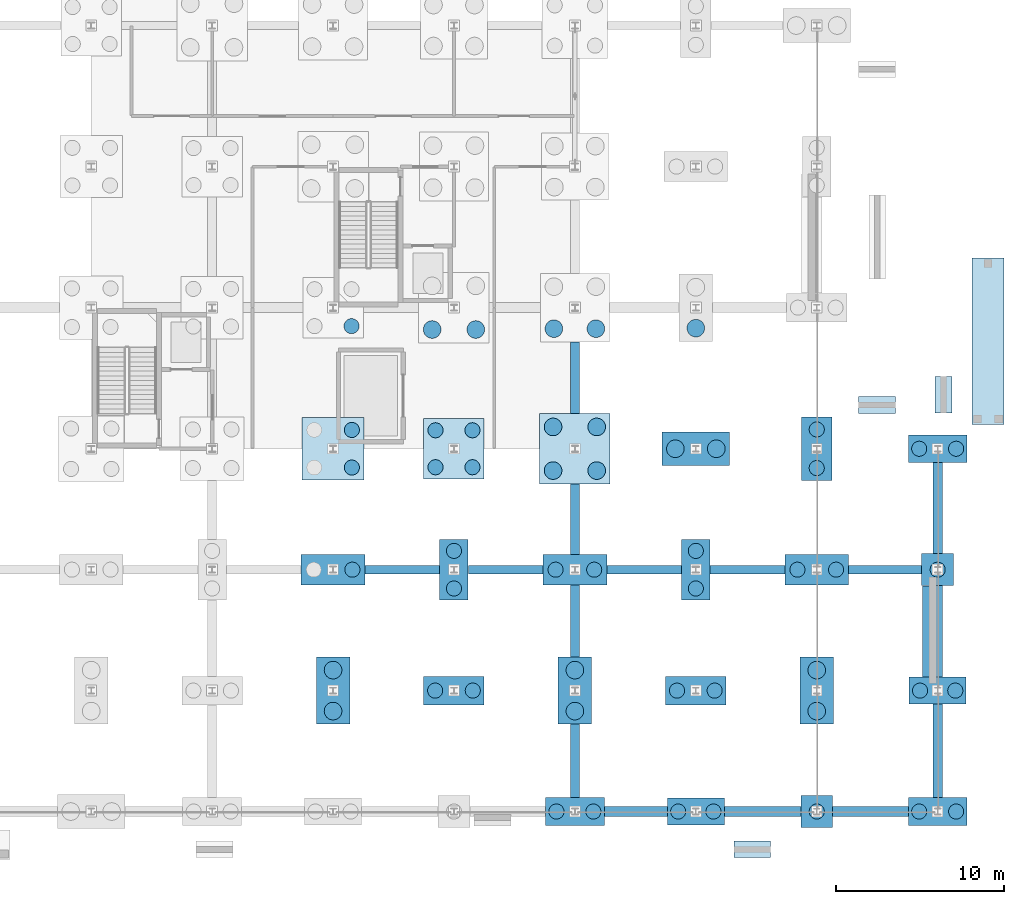
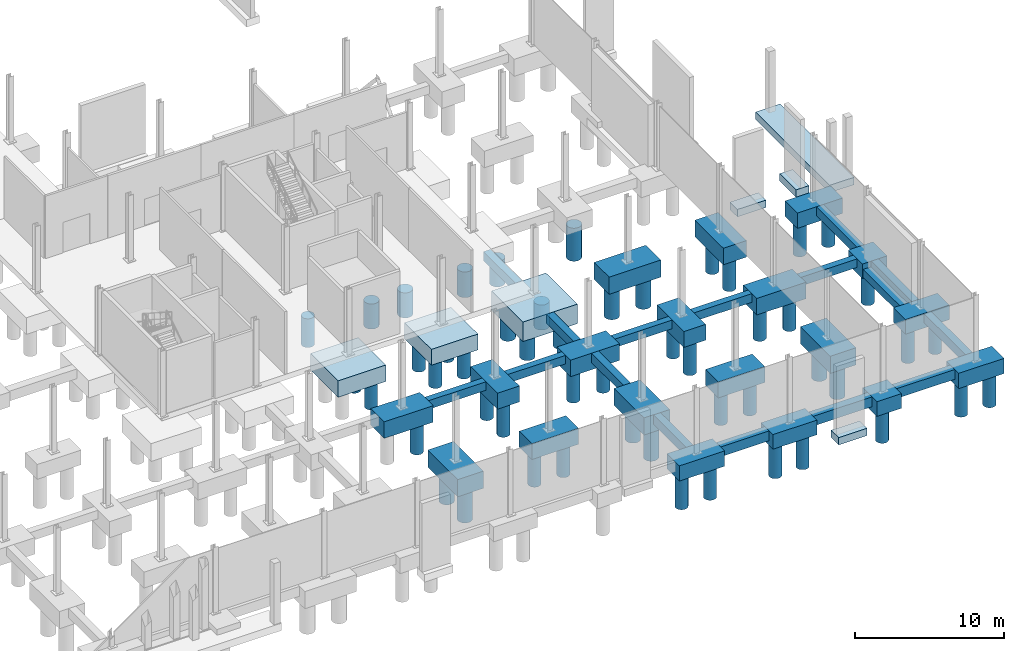
# One storey, part 10 of 61: 51 piles, 42 footings.
"""IFC4 building model written with IfcOpenShell, lengths in metres."""

from ifc_helpers import new_model, si_unit, direction, frame, origin, origin_2d, place, context, subcontext, project, spatial, polyline, rectangle, circle, outline, extrude, material, material_profile, profile_set, type_object, element, save


model = new_model("IFC4")

# Units and contexts
model_context = context("Model", 3, precision=1e-05, world=origin(), true_north=direction((0.0, 1.0)))
body_context = subcontext(model_context, "Body", "Model", "MODEL_VIEW")
ifc_project = project(units=[si_unit("LENGTHUNIT", "METRE"), si_unit("AREAUNIT", "SQUARE_METRE"), si_unit("VOLUMEUNIT", "CUBIC_METRE"), si_unit("PLANEANGLEUNIT", "RADIAN"), si_unit("MASSUNIT", "GRAM", prefix="KILO")], contexts=[model_context])

# Site, building, storey
site_placement = place(None, origin())
site = spatial("IfcSite", under=ifc_project, at=site_placement, CompositionType="ELEMENT")
building_placement = place(site_placement, origin())
building = spatial("IfcBuilding", under=site, at=building_placement, Name="Calvrana Isthmian Art Gallery", CompositionType="ELEMENT")
storey_placement = place(building_placement, frame((0.0, 0.0, -5.39990234375)))
storey = spatial("IfcBuildingStorey", under=building, at=storey_placement, Name="B1", CompositionType="ELEMENT", Elevation=-5.39990234375)

# Footings
ifc_material = material(Name="Concrete C35/45", Category="concrete")
footing_type_1 = type_object("IfcFootingType", Name="FT-PAD-APRON", PredefinedType="PAD_FOOTING", material=ifc_material)
footing_1_placement = place(storey_placement, frame((0.0, 0.0, -1.050048828125)))
element("IfcFooting", 1, at=footing_1_placement, inside=storey, type_object=footing_type_1, Name="Apron pad footing SLB_APR_EAST_BENCH_S", PredefinedType="PAD_FOOTING", context=body_context, shape_type="SweptSolid", body=[
    extrude(outline(polyline([(167.14990234375, 23.050048828125), (167.14990234375, 32.949951171875), (165.25, 32.949951171875), (165.25, 23.050048828125), (167.14990234375, 23.050048828125)])), origin(), (0.0, 0.0, 1.0), 0.599853515625),
])
footing_type_2 = type_object("IfcFootingType", Name="FT-PC-170X360X130", PredefinedType="PILE_CAP", material=ifc_material)
for number, where, z_axis, x_axis, name in (
    (2, (134.39990234375, 14.39990234375, -1.30029296875), (0.0, 0.0, 1.0), (1.0, 0.0, 0.0), "Pile cap 18/C"),
    (3, (148.800048828125, 14.39990234375, -1.30029296875), (0.0, 0.0, 1.0), (1.0, 0.0, 0.0), "Pile cap 20/C"),
):
    element("IfcFooting", number, at=place(storey_placement, frame(where, z_axis=z_axis, x_axis=x_axis)), inside=storey, type_object=footing_type_2, Name=name, PredefinedType="PILE_CAP", context=body_context, shape_type="SweptSolid", body=[
        extrude(rectangle(XDim=1.699951171875, YDim=3.60009765625, at=origin_2d()), origin(), (0.0, 0.0, 1.0), 1.300048828125),
    ])
footing_type_3 = type_object("IfcFootingType", Name="FT-PC-180X380X135", PredefinedType="PILE_CAP", material=ifc_material)
footing_2_placement = place(storey_placement, frame((156.0, 21.60009765625, -1.35009765625), z_axis=(0.0, 0.0, 1.0), x_axis=(1.0, 0.0, 0.0)))
element("IfcFooting", 4, at=footing_2_placement, inside=storey, type_object=footing_type_3, Name="Pile cap 21/D", PredefinedType="PILE_CAP", context=body_context, shape_type="SweptSolid", body=[
    extrude(rectangle(XDim=1.800048828125, YDim=3.800048828125, at=origin_2d()), origin(), (0.0, 0.0, 1.0), 1.35009765625),
])
footing_type_4 = type_object("IfcFootingType", Name="FT-PC-190X190X120", PredefinedType="PILE_CAP", material=ifc_material)
for number, where, z_axis, x_axis, name in (
    (5, (156.0, 0.0, -1.2001953125), (0.0, 0.0, 1.0), (1.0, 0.0, 0.0), "Pile cap 21/A"),
    (6, (163.199951171875, 14.39990234375, -1.2001953125), (0.0, 0.0, 1.0), (1.0, 0.0, 0.0), "Pile cap 22/C"),
):
    element("IfcFooting", number, at=place(storey_placement, frame(where, z_axis=z_axis, x_axis=x_axis)), inside=storey, type_object=footing_type_4, Name=name, PredefinedType="PILE_CAP", context=body_context, shape_type="SweptSolid", body=[
        extrude(rectangle(XDim=1.89990234375, YDim=1.89990234375, at=origin_2d()), origin(), (0.0, 0.0, 1.0), 1.199951171875),
    ])
footing_type_5 = type_object("IfcFootingType", Name="FT-PC-200X400X140", PredefinedType="PILE_CAP", material=ifc_material)
for number, where, z_axis, x_axis, name in (
    (7, (127.199951171875, 7.199951171875, -1.400146484375), (0.0, 0.0, 1.0), (1.0, 0.0, 0.0), "Pile cap 17/B"),
    (8, (141.60009765625, 7.199951171875, -1.400146484375), (0.0, 0.0, 1.0), (1.0, 0.0, 0.0), "Pile cap 19/B"),
    (9, (156.0, 7.199951171875, -1.400146484375), (0.0, 0.0, 1.0), (1.0, 0.0, 0.0), "Pile cap 21/B"),
):
    element("IfcFooting", number, at=place(storey_placement, frame(where, z_axis=z_axis, x_axis=x_axis)), inside=storey, type_object=footing_type_5, Name=name, PredefinedType="PILE_CAP", context=body_context, shape_type="SweptSolid", body=[
        extrude(rectangle(XDim=2.0, YDim=4.0, at=origin_2d()), origin(), (0.0, 0.0, 1.0), 1.39990234375),
    ])
footing_type_6 = type_object("IfcFootingType", Name="FT-PC-340X160X120", PredefinedType="PILE_CAP", material=ifc_material)
for number, where, z_axis, x_axis, name in (
    (10, (148.800048828125, 0.0, -1.2001953125), (0.0, 0.0, 1.0), (1.0, 0.0, 0.0), "Pile cap 20/A"),
    (11, (163.199951171875, 7.199951171875, -1.2001953125), (0.0, 0.0, 1.0), (1.0, 0.0, 0.0), "Pile cap 22/B"),
):
    element("IfcFooting", number, at=place(storey_placement, frame(where, z_axis=z_axis, x_axis=x_axis)), inside=storey, type_object=footing_type_6, Name=name, PredefinedType="PILE_CAP", context=body_context, shape_type="SweptSolid", body=[
        extrude(rectangle(XDim=3.39990234375, YDim=1.60009765625, at=origin_2d()), origin(), (0.0, 0.0, 1.0), 1.199951171875),
    ])
footing_type_7 = type_object("IfcFootingType", Name="FT-PC-350X165X125", PredefinedType="PILE_CAP", material=ifc_material)
for number, where, z_axis, x_axis, name in (
    (12, (141.60009765625, 0.0, -1.25), (0.0, 0.0, 1.0), (1.0, 0.0, 0.0), "Pile cap 19/A"),
    (13, (163.199951171875, 0.0, -1.25), (0.0, 0.0, 1.0), (1.0, 0.0, 0.0), "Pile cap 22/A"),
    (14, (163.199951171875, 21.60009765625, -1.25), (0.0, 0.0, 1.0), (1.0, 0.0, 0.0), "Pile cap 22/D"),
):
    element("IfcFooting", number, at=place(storey_placement, frame(where, z_axis=z_axis, x_axis=x_axis)), inside=storey, type_object=footing_type_7, Name=name, PredefinedType="PILE_CAP", context=body_context, shape_type="SweptSolid", body=[
        extrude(rectangle(XDim=3.5, YDim=1.64990234375, at=origin_2d()), origin(), (0.0, 0.0, 1.0), 1.25),
    ])
footing_type_8 = type_object("IfcFootingType", Name="FT-PC-360X170X130", PredefinedType="PILE_CAP", material=ifc_material)
for number, where, z_axis, x_axis, name in (
    (15, (134.39990234375, 7.199951171875, -1.30029296875), (0.0, 0.0, 1.0), (1.0, 0.0, 0.0), "Pile cap 18/B"),
    (16, (148.800048828125, 7.199951171875, -1.30029296875), (0.0, 0.0, 1.0), (1.0, 0.0, 0.0), "Pile cap 20/B"),
):
    element("IfcFooting", number, at=place(storey_placement, frame(where, z_axis=z_axis, x_axis=x_axis)), inside=storey, type_object=footing_type_8, Name=name, PredefinedType="PILE_CAP", context=body_context, shape_type="SweptSolid", body=[
        extrude(rectangle(XDim=3.60009765625, YDim=1.699951171875, at=origin_2d()), origin(), (0.0, 0.0, 1.0), 1.300048828125),
    ])
footing_type_9 = type_object("IfcFootingType", Name="FT-PC-360X360X130", PredefinedType="PILE_CAP", material=ifc_material)
footing_3_placement = place(storey_placement, frame((134.39990234375, 21.60009765625, -1.75), z_axis=(0.0, 0.0, 1.0), x_axis=(1.0, 0.0, 0.0)))
element("IfcFooting", 17, at=footing_3_placement, inside=storey, type_object=footing_type_9, Name="Pile cap 18/D", PredefinedType="PILE_CAP", context=body_context, shape_type="SweptSolid", body=[
    extrude(rectangle(XDim=3.60009765625, YDim=3.60009765625, at=origin_2d()), origin(), (0.0, 0.0, 1.0), 1.300048828125),
])
footing_type_10 = type_object("IfcFootingType", Name="FT-PC-370X370X135", PredefinedType="PILE_CAP", material=ifc_material)
footing_4_placement = place(storey_placement, frame((127.199951171875, 21.60009765625, -1.800048828125), z_axis=(0.0, 0.0, 1.0), x_axis=(1.0, 0.0, 0.0)))
element("IfcFooting", 18, at=footing_4_placement, inside=storey, type_object=footing_type_10, Name="Pile cap 17/D", PredefinedType="PILE_CAP", context=body_context, shape_type="SweptSolid", body=[
    extrude(rectangle(XDim=3.699951171875, YDim=3.699951171875, at=origin_2d()), origin(), (0.0, 0.0, 1.0), 1.35009765625),
])
footing_type_11 = type_object("IfcFootingType", Name="FT-PC-380X180X135", PredefinedType="PILE_CAP", material=ifc_material)
for number, where, z_axis, x_axis, name in (
    (19, (127.199951171875, 14.39990234375, -1.35009765625), (0.0, 0.0, 1.0), (1.0, 0.0, 0.0), "Pile cap 17/C"),
    (20, (141.60009765625, 14.39990234375, -1.35009765625), (0.0, 0.0, 1.0), (1.0, 0.0, 0.0), "Pile cap 19/C"),
    (21, (156.0, 14.39990234375, -1.35009765625), (0.0, 0.0, 1.0), (1.0, 0.0, 0.0), "Pile cap 21/C"),
):
    element("IfcFooting", number, at=place(storey_placement, frame(where, z_axis=z_axis, x_axis=x_axis)), inside=storey, type_object=footing_type_11, Name=name, PredefinedType="PILE_CAP", context=body_context, shape_type="SweptSolid", body=[
        extrude(rectangle(XDim=3.800048828125, YDim=1.800048828125, at=origin_2d()), origin(), (0.0, 0.0, 1.0), 1.35009765625),
    ])
footing_type_12 = type_object("IfcFootingType", Name="FT-PC-400X200X140", PredefinedType="PILE_CAP", material=ifc_material)
footing_5_placement = place(storey_placement, frame((148.800048828125, 21.60009765625, -1.400146484375), z_axis=(0.0, 0.0, 1.0), x_axis=(1.0, 0.0, 0.0)))
element("IfcFooting", 22, at=footing_5_placement, inside=storey, type_object=footing_type_12, Name="Pile cap 20/D", PredefinedType="PILE_CAP", context=body_context, shape_type="SweptSolid", body=[
    extrude(rectangle(XDim=4.0, YDim=2.0, at=origin_2d()), origin(), (0.0, 0.0, 1.0), 1.39990234375),
])
footing_type_13 = type_object("IfcFootingType", Name="FT-PC-420X420X160", PredefinedType="PILE_CAP", material=ifc_material)
footing_6_placement = place(storey_placement, frame((141.60009765625, 21.60009765625, -2.050048828125), z_axis=(0.0, 0.0, 1.0), x_axis=(1.0, 0.0, 0.0)))
element("IfcFooting", 23, at=footing_6_placement, inside=storey, type_object=footing_type_13, Name="Pile cap 19/D", PredefinedType="PILE_CAP", context=body_context, shape_type="SweptSolid", body=[
    extrude(rectangle(XDim=4.199951171875, YDim=4.199951171875, at=origin_2d()), origin(), (0.0, 0.0, 1.0), 1.60009765625),
])
footing_type_14 = type_object("IfcFootingType", Name="FT-SF-1000X600", PredefinedType="STRIP_FOOTING", material=ifc_material)
footing_7_placement = place(storey_placement, frame((0.0, 0.0, -1.050048828125)))
element("IfcFooting", 24, at=footing_7_placement, inside=storey, type_object=footing_type_14, Name="Apron grade wall SLB_APR_ECORT_S-A strip footing", PredefinedType="STRIP_FOOTING", context=body_context, shape_type="SweptSolid", body=[
    extrude(outline(polyline([(158.5, 23.699951171875), (160.699951171875, 23.699951171875), (160.699951171875, 24.699951171875), (158.5, 24.699951171875), (158.5, 23.699951171875)])), origin(), (0.0, 0.0, 1.0), 0.599853515625),
])
footing_8_placement = place(storey_placement, frame((0.0, 0.0, -1.050048828125)))
element("IfcFooting", 25, at=footing_8_placement, inside=storey, type_object=footing_type_14, Name="Apron grade wall SLB_APR_SE_E-C strip footing", PredefinedType="STRIP_FOOTING", context=body_context, shape_type="SweptSolid", body=[
    extrude(outline(polyline([(151.06005859375, -2.75), (153.260009765625, -2.75), (153.260009765625, -1.75), (151.06005859375, -1.75), (151.06005859375, -2.75)])), origin(), (0.0, 0.0, 1.0), 0.599853515625),
])
footing_9_placement = place(storey_placement, frame((0.0, 0.0, -1.050048828125)))
element("IfcFooting", 26, at=footing_9_placement, inside=storey, type_object=footing_type_14, Name="Apron grade wall SLB_APR_EAST-A strip footing", PredefinedType="STRIP_FOOTING", context=body_context, shape_type="SweptSolid", body=[
    extrude(outline(polyline([(164.050048828125, 23.716064453125), (164.050048828125, 25.916015625), (163.050048828125, 25.916015625), (163.050048828125, 23.716064453125), (164.050048828125, 23.716064453125)])), origin(), (0.0, 0.0, 1.0), 0.599853515625),
])
footing_type_15 = type_object("IfcFootingType", Name="FT-SF-1200X650", PredefinedType="STRIP_FOOTING", material=ifc_material)
footing_10_placement = place(storey_placement, frame((0.0, 0.0, -1.10009765625)))
element("IfcFooting", 27, at=footing_10_placement, inside=storey, type_object=footing_type_15, Name="Hillside plinth retaining wall RW_B1_EAST_S strip footing", PredefinedType="STRIP_FOOTING", context=body_context, shape_type="SweptSolid", body=[
    extrude(outline(polyline([(162.300048828125, 8.014892578125), (162.300048828125, 13.43505859375), (162.909912109375, 13.43505859375), (162.909912109375, 8.014892578125), (162.300048828125, 8.014892578125)])), origin(), (0.0, 0.0, 1.0), 0.64990234375),
])
footing_type_16 = type_object("IfcFootingType", Name="FT-TB-500X700", PredefinedType="FOOTING_BEAM", material=ifc_material)
footing_11_placement = place(storey_placement, frame((0.0, 0.0, -0.7001953125)))
element("IfcFooting", 28, at=footing_11_placement, inside=storey, type_object=footing_type_16, Name="Footing tie beam X 16-02", PredefinedType="FOOTING_BEAM", context=body_context, shape_type="SweptSolid", body=[
    extrude(outline(polyline([(129.10009765625, 14.14990234375), (133.550048828125, 14.14990234375), (133.550048828125, 14.64990234375), (129.10009765625, 14.64990234375), (129.10009765625, 14.14990234375)])), origin(), (0.0, 0.0, 1.0), 0.7001953125),
])
footing_12_placement = place(storey_placement, frame((0.0, 0.0, -0.7001953125)))
element("IfcFooting", 29, at=footing_12_placement, inside=storey, type_object=footing_type_16, Name="Footing tie beam X 17-02", PredefinedType="FOOTING_BEAM", context=body_context, shape_type="SweptSolid", body=[
    extrude(outline(polyline([(135.25, 14.14990234375), (139.699951171875, 14.14990234375), (139.699951171875, 14.64990234375), (135.25, 14.64990234375), (135.25, 14.14990234375)])), origin(), (0.0, 0.0, 1.0), 0.7001953125),
])
footing_13_placement = place(storey_placement, frame((0.0, 0.0, -0.7001953125)))
element("IfcFooting", 30, at=footing_13_placement, inside=storey, type_object=footing_type_16, Name="Footing tie beam X 18-02", PredefinedType="FOOTING_BEAM", context=body_context, shape_type="SweptSolid", body=[
    extrude(outline(polyline([(143.5, 14.14990234375), (147.949951171875, 14.14990234375), (147.949951171875, 14.64990234375), (143.5, 14.64990234375), (143.5, 14.14990234375)])), origin(), (0.0, 0.0, 1.0), 0.7001953125),
])
footing_14_placement = place(storey_placement, frame((0.0, 0.0, -0.7001953125)))
element("IfcFooting", 31, at=footing_14_placement, inside=storey, type_object=footing_type_16, Name="Footing tie beam X 19-02", PredefinedType="FOOTING_BEAM", context=body_context, shape_type="SweptSolid", body=[
    extrude(outline(polyline([(149.64990234375, 14.14990234375), (154.10009765625, 14.14990234375), (154.10009765625, 14.64990234375), (149.64990234375, 14.64990234375), (149.64990234375, 14.14990234375)])), origin(), (0.0, 0.0, 1.0), 0.7001953125),
])
footing_15_placement = place(storey_placement, frame((0.0, 0.0, -0.7001953125)))
element("IfcFooting", 32, at=footing_15_placement, inside=storey, type_object=footing_type_16, Name="Footing tie beam X 20-02", PredefinedType="FOOTING_BEAM", context=body_context, shape_type="SweptSolid", body=[
    extrude(outline(polyline([(157.89990234375, 14.14990234375), (162.25, 14.14990234375), (162.25, 14.64990234375), (157.89990234375, 14.64990234375), (157.89990234375, 14.14990234375)])), origin(), (0.0, 0.0, 1.0), 0.7001953125),
])
footing_type_17 = type_object("IfcFootingType", Name="FT-TB-550X750", PredefinedType="FOOTING_BEAM", material=ifc_material)
footing_16_placement = place(storey_placement, frame((0.0, 0.0, -0.75)))
element("IfcFooting", 33, at=footing_16_placement, inside=storey, type_object=footing_type_17, Name="Footing tie beam Y 18-00", PredefinedType="FOOTING_BEAM", context=body_context, shape_type="SweptSolid", body=[
    extrude(outline(polyline([(141.324951171875, 0.824951171875), (141.875, 0.824951171875), (141.875, 5.199951171875), (141.324951171875, 5.199951171875), (141.324951171875, 0.824951171875)])), origin(), (0.0, 0.0, 1.0), 0.75),
])
footing_17_placement = place(storey_placement, frame((0.0, 0.0, -0.75)))
element("IfcFooting", 34, at=footing_17_placement, inside=storey, type_object=footing_type_17, Name="Footing tie beam Y 18-01", PredefinedType="FOOTING_BEAM", context=body_context, shape_type="SweptSolid", body=[
    extrude(outline(polyline([(141.324951171875, 9.199951171875), (141.875, 9.199951171875), (141.875, 13.5), (141.324951171875, 13.5), (141.324951171875, 9.199951171875)])), origin(), (0.0, 0.0, 1.0), 0.75),
])
footing_18_placement = place(storey_placement, frame((0.0, 0.0, -1.2001953125)))
element("IfcFooting", 35, at=footing_18_placement, inside=storey, type_object=footing_type_17, Name="Footing tie beam Y 18-02", PredefinedType="FOOTING_BEAM", context=body_context, shape_type="SweptSolid", body=[
    extrude(outline(polyline([(141.324951171875, 15.300048828125), (141.875, 15.300048828125), (141.875, 19.5), (141.324951171875, 19.5), (141.324951171875, 15.300048828125)])), origin(), (0.0, 0.0, 1.0), 0.75),
])
footing_19_placement = place(storey_placement, frame((0.0, 0.0, -1.2001953125)))
element("IfcFooting", 36, at=footing_19_placement, inside=storey, type_object=footing_type_17, Name="Footing tie beam Y 18-03", PredefinedType="FOOTING_BEAM", context=body_context, shape_type="SweptSolid", body=[
    extrude(outline(polyline([(141.324951171875, 23.699951171875), (141.875, 23.699951171875), (141.875, 27.949951171875), (141.324951171875, 27.949951171875), (141.324951171875, 23.699951171875)])), origin(), (0.0, 0.0, 1.0), 0.75),
])
footing_20_placement = place(storey_placement, frame((0.0, 0.0, -0.75)))
element("IfcFooting", 37, at=footing_20_placement, inside=storey, type_object=footing_type_17, Name="Footing tie beam Y 21-00", PredefinedType="FOOTING_BEAM", context=body_context, shape_type="SweptSolid", body=[
    extrude(outline(polyline([(162.925048828125, 0.824951171875), (163.47509765625, 0.824951171875), (163.47509765625, 6.39990234375), (162.925048828125, 6.39990234375), (162.925048828125, 0.824951171875)])), origin(), (0.0, 0.0, 1.0), 0.75),
])
footing_21_placement = place(storey_placement, frame((0.0, 0.0, -0.75)))
element("IfcFooting", 38, at=footing_21_placement, inside=storey, type_object=footing_type_17, Name="Footing tie beam Y 21-01", PredefinedType="FOOTING_BEAM", context=body_context, shape_type="SweptSolid", body=[
    extrude(outline(polyline([(162.925048828125, 8.0), (163.47509765625, 8.0), (163.47509765625, 13.449951171875), (162.925048828125, 13.449951171875), (162.925048828125, 8.0)])), origin(), (0.0, 0.0, 1.0), 0.75),
])
footing_22_placement = place(storey_placement, frame((0.0, 0.0, -0.75)))
element("IfcFooting", 39, at=footing_22_placement, inside=storey, type_object=footing_type_17, Name="Footing tie beam Y 21-02", PredefinedType="FOOTING_BEAM", context=body_context, shape_type="SweptSolid", body=[
    extrude(outline(polyline([(162.925048828125, 15.35009765625), (163.47509765625, 15.35009765625), (163.47509765625, 20.77490234375), (162.925048828125, 20.77490234375), (162.925048828125, 15.35009765625)])), origin(), (0.0, 0.0, 1.0), 0.75),
])
footing_type_18 = type_object("IfcFootingType", Name="FT-TB-600X800", PredefinedType="FOOTING_BEAM", material=ifc_material)
footing_23_placement = place(storey_placement, frame((0.0, 0.0, -0.800048828125)))
element("IfcFooting", 40, at=footing_23_placement, inside=storey, type_object=footing_type_18, Name="Footing tie beam X 18-00", PredefinedType="FOOTING_BEAM", context=body_context, shape_type="SweptSolid", body=[
    extrude(outline(polyline([(143.35009765625, -0.300048828125), (147.10009765625, -0.300048828125), (147.10009765625, 0.300048828125), (143.35009765625, 0.300048828125), (143.35009765625, -0.300048828125)])), origin(), (0.0, 0.0, 1.0), 0.800048828125),
])
footing_24_placement = place(storey_placement, frame((0.0, 0.0, -0.800048828125)))
element("IfcFooting", 41, at=footing_24_placement, inside=storey, type_object=footing_type_18, Name="Footing tie beam X 19-00", PredefinedType="FOOTING_BEAM", context=body_context, shape_type="SweptSolid", body=[
    extrude(outline(polyline([(150.5, -0.300048828125), (155.050048828125, -0.300048828125), (155.050048828125, 0.300048828125), (150.5, 0.300048828125), (150.5, -0.300048828125)])), origin(), (0.0, 0.0, 1.0), 0.800048828125),
])
footing_25_placement = place(storey_placement, frame((0.0, 0.0, -0.800048828125)))
element("IfcFooting", 42, at=footing_25_placement, inside=storey, type_object=footing_type_18, Name="Footing tie beam X 20-00", PredefinedType="FOOTING_BEAM", context=body_context, shape_type="SweptSolid", body=[
    extrude(outline(polyline([(156.949951171875, -0.300048828125), (161.449951171875, -0.300048828125), (161.449951171875, 0.300048828125), (156.949951171875, 0.300048828125), (156.949951171875, -0.300048828125)])), origin(), (0.0, 0.0, 1.0), 0.800048828125),
])

# Piles
ifc_material_profile_1 = material_profile(ifc_material, circle(Radius=0.52490234375, at=origin_2d()), Name="PILE1050D")
ifc_profile_set_1 = profile_set([ifc_material_profile_1], Name="Concrete C35/45")
pile_type_1 = type_object("IfcPileType", Name="PILE-D1050", PredefinedType="BORED", material=ifc_profile_set_1)
for number, where, z_axis, x_axis, name in (
    (43, (127.199951171875, 5.97998046875, -1.300048828125), (0.0, 0.0, -1.0), (1.0, 0.0, 0.0), "Bored pile PL-409"),
    (44, (127.199951171875, 8.419921875, -1.300048828125), (0.0, 0.0, -1.0), (1.0, 0.0, 0.0), "Bored pile PL-410"),
):
    element("IfcPile", number, at=place(storey_placement, frame(where, z_axis=z_axis, x_axis=x_axis)), inside=storey, type_object=pile_type_1, Name=name, PredefinedType="BORED", context=body_context, shape_type="SweptSolid", body=[
        extrude(circle(Radius=0.52490234375, at=origin_2d()), origin(), (0.0, 0.0, 1.0), 2.699951171875),
    ])
for number, where, z_axis, x_axis, name in (
    (45, (133.10009765625, 28.699951171875, -1.9501953125), (0.0, 0.0, -1.0), (1.0, 0.0, 0.0), "Bored pile PL-446"),
    (46, (135.699951171875, 28.699951171875, -1.9501953125), (0.0, 0.0, -1.0), (1.0, 0.0, 0.0), "Bored pile PL-447"),
):
    element("IfcPile", number, at=place(storey_placement, frame(where, z_axis=z_axis, x_axis=x_axis)), inside=storey, type_object=pile_type_1, Name=name, PredefinedType="BORED", context=body_context, shape_type="SweptSolid", body=[
        extrude(circle(Radius=0.52490234375, at=origin_2d()), origin(), (0.0, 0.0, 1.0), 2.050048828125),
    ])
for number, where, z_axis, x_axis, name in (
    (47, (141.60009765625, 5.97998046875, -1.300048828125), (0.0, 0.0, -1.0), (1.0, 0.0, 0.0), "Bored pile PL-471"),
    (48, (141.60009765625, 8.419921875, -1.300048828125), (0.0, 0.0, -1.0), (1.0, 0.0, 0.0), "Bored pile PL-472"),
):
    element("IfcPile", number, at=place(storey_placement, frame(where, z_axis=z_axis, x_axis=x_axis)), inside=storey, type_object=pile_type_1, Name=name, PredefinedType="BORED", context=body_context, shape_type="SweptSolid", body=[
        extrude(circle(Radius=0.52490234375, at=origin_2d()), origin(), (0.0, 0.0, 1.0), 2.699951171875),
    ])
for number, where, z_axis, x_axis, name in (
    (49, (140.300048828125, 20.300048828125, -1.9501953125), (0.0, 0.0, -1.0), (1.0, 0.0, 0.0), "Bored pile PL-475"),
    (50, (142.89990234375, 20.300048828125, -1.9501953125), (0.0, 0.0, -1.0), (1.0, 0.0, 0.0), "Bored pile PL-476"),
    (51, (140.300048828125, 22.89990234375, -1.9501953125), (0.0, 0.0, -1.0), (1.0, 0.0, 0.0), "Bored pile PL-477"),
    (52, (142.89990234375, 22.89990234375, -1.9501953125), (0.0, 0.0, -1.0), (1.0, 0.0, 0.0), "Bored pile PL-478"),
):
    element("IfcPile", number, at=place(storey_placement, frame(where, z_axis=z_axis, x_axis=x_axis)), inside=storey, type_object=pile_type_1, Name=name, PredefinedType="BORED", context=body_context, shape_type="SweptSolid", body=[
        extrude(circle(Radius=0.52490234375, at=origin_2d()), origin(), (0.0, 0.0, 1.0), 2.050048828125),
    ])
for number, where, z_axis, x_axis, name in (
    (53, (140.35009765625, 28.75, -1.900146484375), (0.0, 0.0, -1.0), (1.0, 0.0, 0.0), "Bored pile PL-479"),
    (54, (142.85009765625, 28.75, -1.900146484375), (0.0, 0.0, -1.0), (1.0, 0.0, 0.0), "Bored pile PL-480"),
):
    element("IfcPile", number, at=place(storey_placement, frame(where, z_axis=z_axis, x_axis=x_axis)), inside=storey, type_object=pile_type_1, Name=name, PredefinedType="BORED", context=body_context, shape_type="SweptSolid", body=[
        extrude(circle(Radius=0.52490234375, at=origin_2d()), origin(), (0.0, 0.0, 1.0), 2.10009765625),
    ])
for number, where, z_axis, x_axis, name in (
    (55, (147.580078125, 21.60009765625, -1.300048828125), (0.0, 0.0, -1.0), (1.0, 0.0, 0.0), "Bored pile PL-508"),
    (56, (150.02001953125, 21.60009765625, -1.300048828125), (0.0, 0.0, -1.0), (1.0, 0.0, 0.0), "Bored pile PL-509"),
    (57, (148.800048828125, 28.780029296875, -1.300048828125), (0.0, 0.0, -1.0), (1.0, 0.0, 0.0), "Bored pile PL-510"),
    (58, (156.0, 5.97998046875, -1.300048828125), (0.0, 0.0, -1.0), (1.0, 0.0, 0.0), "Bored pile PL-529"),
    (59, (156.0, 8.419921875, -1.300048828125), (0.0, 0.0, -1.0), (1.0, 0.0, 0.0), "Bored pile PL-530"),
):
    element("IfcPile", number, at=place(storey_placement, frame(where, z_axis=z_axis, x_axis=x_axis)), inside=storey, type_object=pile_type_1, Name=name, PredefinedType="BORED", context=body_context, shape_type="SweptSolid", body=[
        extrude(circle(Radius=0.52490234375, at=origin_2d()), origin(), (0.0, 0.0, 1.0), 2.699951171875),
    ])
ifc_material_profile_2 = material_profile(ifc_material, circle(Radius=0.449951171875, at=origin_2d()), Name="PILE900D")
ifc_profile_set_2 = profile_set([ifc_material_profile_2], Name="Concrete C35/45")
pile_type_2 = type_object("IfcPileType", Name="PILE-D900", PredefinedType="BORED", material=ifc_profile_set_2)
pile_1_placement = place(storey_placement, frame((128.35009765625, 14.39990234375, -1.25), z_axis=(0.0, 0.0, -1.0), x_axis=(1.0, 0.0, 0.0)))
element("IfcPile", 60, at=pile_1_placement, inside=storey, type_object=pile_type_2, Name="Bored pile PL-412", PredefinedType="BORED", context=body_context, shape_type="SweptSolid", body=[
    extrude(circle(Radius=0.449951171875, at=origin_2d()), origin(), (0.0, 0.0, 1.0), 2.75),
])
for number, where, z_axis, x_axis, name in (
    (61, (128.320068359375, 20.47998046875, -1.7001953125), (0.0, 0.0, -1.0), (1.0, 0.0, 0.0), "Bored pile PL-414"),
    (62, (128.320068359375, 22.719970703125, -1.7001953125), (0.0, 0.0, -1.0), (1.0, 0.0, 0.0), "Bored pile PL-416"),
):
    element("IfcPile", number, at=place(storey_placement, frame(where, z_axis=z_axis, x_axis=x_axis)), inside=storey, type_object=pile_type_2, Name=name, PredefinedType="BORED", context=body_context, shape_type="SweptSolid", body=[
        extrude(circle(Radius=0.449951171875, at=origin_2d()), origin(), (0.0, 0.0, 1.0), 2.300048828125),
    ])
pile_2_placement = place(storey_placement, frame((128.300048828125, 28.89990234375, -1.650146484375), z_axis=(0.0, 0.0, -1.0), x_axis=(1.0, 0.0, 0.0)))
element("IfcPile", 63, at=pile_2_placement, inside=storey, type_object=pile_type_2, Name="Bored pile PL-418", PredefinedType="BORED", context=body_context, shape_type="SweptSolid", body=[
    extrude(circle(Radius=0.449951171875, at=origin_2d()), origin(), (0.0, 0.0, 1.0), 2.35009765625),
])
for number, where, z_axis, x_axis, name in (
    (64, (133.280029296875, 7.199951171875, -1.2001953125), (0.0, 0.0, -1.0), (1.0, 0.0, 0.0), "Bored pile PL-438"),
    (65, (135.52001953125, 7.199951171875, -1.2001953125), (0.0, 0.0, -1.0), (1.0, 0.0, 0.0), "Bored pile PL-439"),
    (66, (134.39990234375, 13.280029296875, -1.2001953125), (0.0, 0.0, -1.0), (1.0, 0.0, 0.0), "Bored pile PL-440"),
    (67, (134.39990234375, 15.52001953125, -1.2001953125), (0.0, 0.0, -1.0), (1.0, 0.0, 0.0), "Bored pile PL-441"),
):
    element("IfcPile", number, at=place(storey_placement, frame(where, z_axis=z_axis, x_axis=x_axis)), inside=storey, type_object=pile_type_2, Name=name, PredefinedType="BORED", context=body_context, shape_type="SweptSolid", body=[
        extrude(circle(Radius=0.449951171875, at=origin_2d()), origin(), (0.0, 0.0, 1.0), 2.800048828125),
    ])
for number, where, z_axis, x_axis, name in (
    (68, (133.300048828125, 20.5, -1.650146484375), (0.0, 0.0, -1.0), (1.0, 0.0, 0.0), "Bored pile PL-442"),
    (69, (135.5, 20.5, -1.650146484375), (0.0, 0.0, -1.0), (1.0, 0.0, 0.0), "Bored pile PL-443"),
    (70, (133.300048828125, 22.699951171875, -1.650146484375), (0.0, 0.0, -1.0), (1.0, 0.0, 0.0), "Bored pile PL-444"),
    (71, (135.5, 22.699951171875, -1.650146484375), (0.0, 0.0, -1.0), (1.0, 0.0, 0.0), "Bored pile PL-445"),
):
    element("IfcPile", number, at=place(storey_placement, frame(where, z_axis=z_axis, x_axis=x_axis)), inside=storey, type_object=pile_type_2, Name=name, PredefinedType="BORED", context=body_context, shape_type="SweptSolid", body=[
        extrude(circle(Radius=0.449951171875, at=origin_2d()), origin(), (0.0, 0.0, 1.0), 2.35009765625),
    ])
for number, where, z_axis, x_axis, name in (
    (72, (140.5, 0.0, -1.150146484375), (0.0, 0.0, -1.0), (1.0, 0.0, 0.0), "Bored pile PL-469"),
    (73, (142.699951171875, 0.0, -1.150146484375), (0.0, 0.0, -1.0), (1.0, 0.0, 0.0), "Bored pile PL-470"),
):
    element("IfcPile", number, at=place(storey_placement, frame(where, z_axis=z_axis, x_axis=x_axis)), inside=storey, type_object=pile_type_2, Name=name, PredefinedType="BORED", context=body_context, shape_type="SweptSolid", body=[
        extrude(circle(Radius=0.449951171875, at=origin_2d()), origin(), (0.0, 0.0, 1.0), 2.85009765625),
    ])
for number, where, z_axis, x_axis, name in (
    (74, (140.449951171875, 14.39990234375, -1.25), (0.0, 0.0, -1.0), (1.0, 0.0, 0.0), "Bored pile PL-473"),
    (75, (142.75, 14.39990234375, -1.25), (0.0, 0.0, -1.0), (1.0, 0.0, 0.0), "Bored pile PL-474"),
):
    element("IfcPile", number, at=place(storey_placement, frame(where, z_axis=z_axis, x_axis=x_axis)), inside=storey, type_object=pile_type_2, Name=name, PredefinedType="BORED", context=body_context, shape_type="SweptSolid", body=[
        extrude(circle(Radius=0.449951171875, at=origin_2d()), origin(), (0.0, 0.0, 1.0), 2.75),
    ])
for number, where, z_axis, x_axis, name in (
    (76, (147.75, 0.0, -1.10009765625), (0.0, 0.0, -1.0), (1.0, 0.0, 0.0), "Bored pile PL-502"),
    (77, (149.85009765625, 0.0, -1.10009765625), (0.0, 0.0, -1.0), (1.0, 0.0, 0.0), "Bored pile PL-503"),
):
    element("IfcPile", number, at=place(storey_placement, frame(where, z_axis=z_axis, x_axis=x_axis)), inside=storey, type_object=pile_type_2, Name=name, PredefinedType="BORED", context=body_context, shape_type="SweptSolid", body=[
        extrude(circle(Radius=0.449951171875, at=origin_2d()), origin(), (0.0, 0.0, 1.0), 2.89990234375),
    ])
for number, where, z_axis, x_axis, name in (
    (78, (147.679931640625, 7.199951171875, -1.2001953125), (0.0, 0.0, -1.0), (1.0, 0.0, 0.0), "Bored pile PL-504"),
    (79, (149.919921875, 7.199951171875, -1.2001953125), (0.0, 0.0, -1.0), (1.0, 0.0, 0.0), "Bored pile PL-505"),
    (80, (148.800048828125, 13.280029296875, -1.2001953125), (0.0, 0.0, -1.0), (1.0, 0.0, 0.0), "Bored pile PL-506"),
    (81, (148.800048828125, 15.52001953125, -1.2001953125), (0.0, 0.0, -1.0), (1.0, 0.0, 0.0), "Bored pile PL-507"),
):
    element("IfcPile", number, at=place(storey_placement, frame(where, z_axis=z_axis, x_axis=x_axis)), inside=storey, type_object=pile_type_2, Name=name, PredefinedType="BORED", context=body_context, shape_type="SweptSolid", body=[
        extrude(circle(Radius=0.449951171875, at=origin_2d()), origin(), (0.0, 0.0, 1.0), 2.800048828125),
    ])
pile_3_placement = place(storey_placement, frame((156.0, 0.0, -1.10009765625), z_axis=(0.0, 0.0, -1.0), x_axis=(1.0, 0.0, 0.0)))
element("IfcPile", 82, at=pile_3_placement, inside=storey, type_object=pile_type_2, Name="Bored pile PL-528", PredefinedType="BORED", context=body_context, shape_type="SweptSolid", body=[
    extrude(circle(Radius=0.449951171875, at=origin_2d()), origin(), (0.0, 0.0, 1.0), 2.89990234375),
])
for number, where, z_axis, x_axis, name in (
    (83, (154.85009765625, 14.39990234375, -1.25), (0.0, 0.0, -1.0), (1.0, 0.0, 0.0), "Bored pile PL-531"),
    (84, (157.14990234375, 14.39990234375, -1.25), (0.0, 0.0, -1.0), (1.0, 0.0, 0.0), "Bored pile PL-532"),
    (85, (156.0, 20.449951171875, -1.25), (0.0, 0.0, -1.0), (1.0, 0.0, 0.0), "Bored pile PL-533"),
    (86, (156.0, 22.75, -1.25), (0.0, 0.0, -1.0), (1.0, 0.0, 0.0), "Bored pile PL-534"),
):
    element("IfcPile", number, at=place(storey_placement, frame(where, z_axis=z_axis, x_axis=x_axis)), inside=storey, type_object=pile_type_2, Name=name, PredefinedType="BORED", context=body_context, shape_type="SweptSolid", body=[
        extrude(circle(Radius=0.449951171875, at=origin_2d()), origin(), (0.0, 0.0, 1.0), 2.75),
    ])
for number, where, z_axis, x_axis, name in (
    (87, (162.10009765625, 0.0, -1.150146484375), (0.0, 0.0, -1.0), (1.0, 0.0, 0.0), "Bored pile PL-551"),
    (88, (164.300048828125, 0.0, -1.150146484375), (0.0, 0.0, -1.0), (1.0, 0.0, 0.0), "Bored pile PL-552"),
):
    element("IfcPile", number, at=place(storey_placement, frame(where, z_axis=z_axis, x_axis=x_axis)), inside=storey, type_object=pile_type_2, Name=name, PredefinedType="BORED", context=body_context, shape_type="SweptSolid", body=[
        extrude(circle(Radius=0.449951171875, at=origin_2d()), origin(), (0.0, 0.0, 1.0), 2.85009765625),
    ])
for number, where, z_axis, x_axis, name in (
    (89, (162.14990234375, 7.199951171875, -1.10009765625), (0.0, 0.0, -1.0), (1.0, 0.0, 0.0), "Bored pile PL-553"),
    (90, (164.25, 7.199951171875, -1.10009765625), (0.0, 0.0, -1.0), (1.0, 0.0, 0.0), "Bored pile PL-554"),
    (91, (163.199951171875, 14.39990234375, -1.10009765625), (0.0, 0.0, -1.0), (1.0, 0.0, 0.0), "Bored pile PL-555"),
):
    element("IfcPile", number, at=place(storey_placement, frame(where, z_axis=z_axis, x_axis=x_axis)), inside=storey, type_object=pile_type_2, Name=name, PredefinedType="BORED", context=body_context, shape_type="SweptSolid", body=[
        extrude(circle(Radius=0.449951171875, at=origin_2d()), origin(), (0.0, 0.0, 1.0), 2.89990234375),
    ])
for number, where, z_axis, x_axis, name in (
    (92, (162.10009765625, 21.60009765625, -1.150146484375), (0.0, 0.0, -1.0), (1.0, 0.0, 0.0), "Bored pile PL-556"),
    (93, (164.300048828125, 21.60009765625, -1.150146484375), (0.0, 0.0, -1.0), (1.0, 0.0, 0.0), "Bored pile PL-557"),
):
    element("IfcPile", number, at=place(storey_placement, frame(where, z_axis=z_axis, x_axis=x_axis)), inside=storey, type_object=pile_type_2, Name=name, PredefinedType="BORED", context=body_context, shape_type="SweptSolid", body=[
        extrude(circle(Radius=0.449951171875, at=origin_2d()), origin(), (0.0, 0.0, 1.0), 2.85009765625),
    ])

save(model, "model.ifc")
